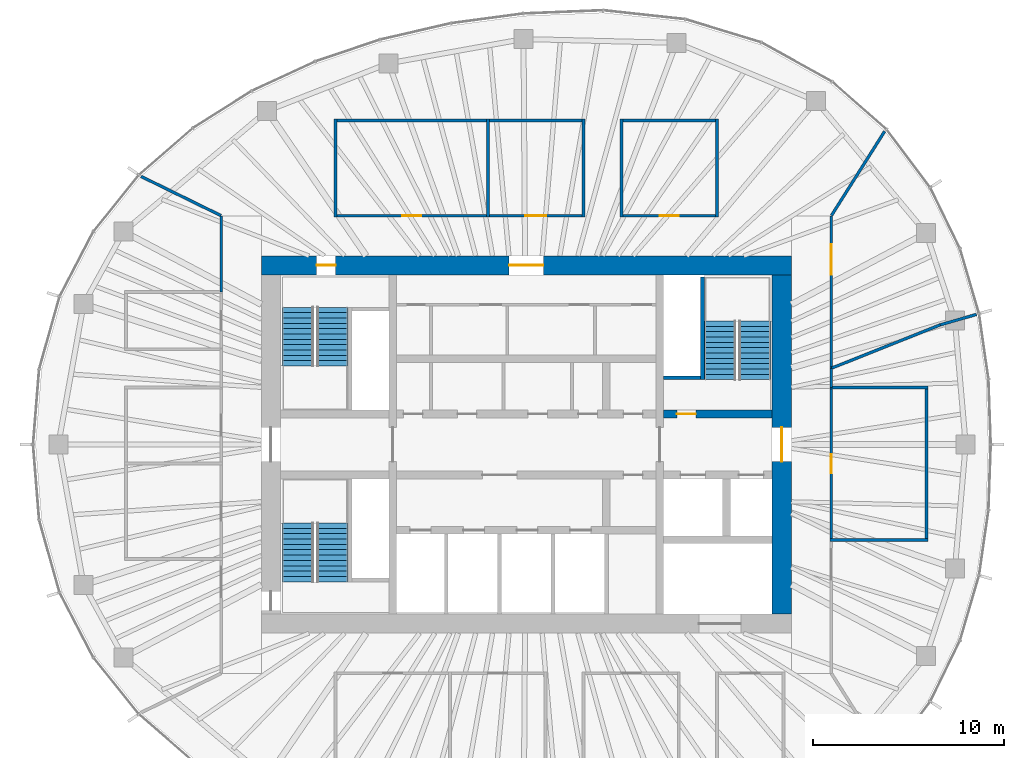
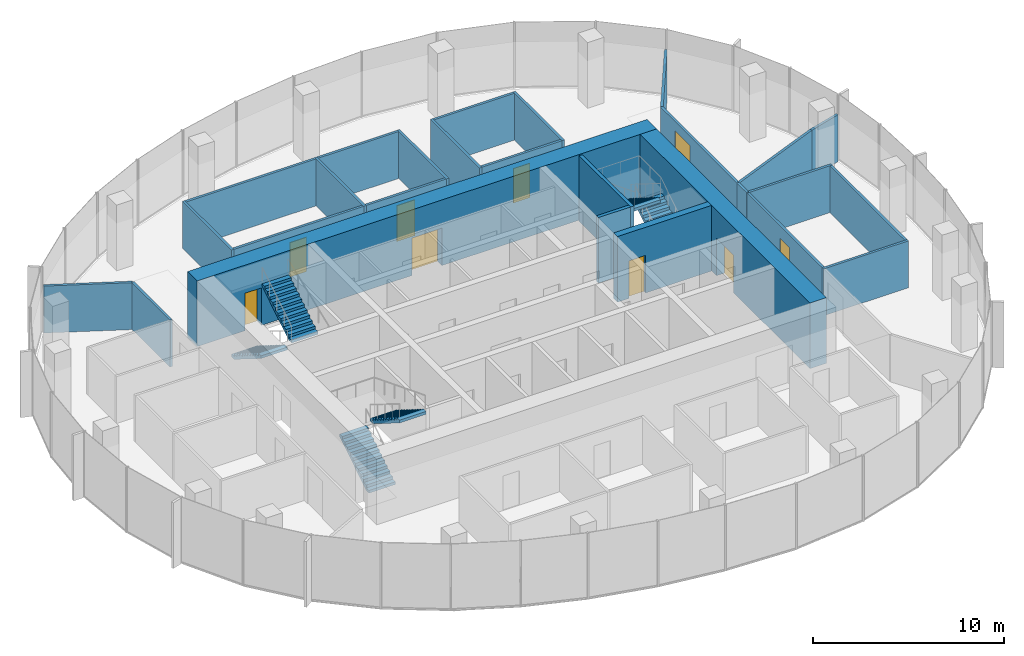
# One storey, part 10 of 11: 27 walls, 9 doors, 6 stair flights, 9 openings, 3 elements without a shape of their own.
"""IFC4 building model written with IfcOpenShell, lengths in metres."""

from ifc_helpers import new_model, si_unit, direction, frame, frame_2d, origin, place, context, subcontext, project, spatial, polyline, rectangle, outline, extrude, material, layer, layer_set, type_object, element, fill, aggregate, save


model = new_model("IFC4")

# Units and contexts
model_context = context("Model", 3, precision=1e-05, world=origin(), true_north=direction((0.0, 1.0)))
body_context = subcontext(model_context, "Body", "Model", "MODEL_VIEW")
ifc_project = project(units=[si_unit("LENGTHUNIT", "METRE"), si_unit("AREAUNIT", "SQUARE_METRE"), si_unit("VOLUMEUNIT", "CUBIC_METRE"), si_unit("PLANEANGLEUNIT", "RADIAN"), si_unit("MASSUNIT", "GRAM", prefix="KILO")], contexts=[model_context])

# Site, building, storey
site_placement = place(None, origin())
site = spatial("IfcSite", under=ifc_project, at=site_placement, CompositionType="ELEMENT")
building_placement = place(site_placement, origin())
building = spatial("IfcBuilding", under=site, at=building_placement, Name="Ghaith Harvest Tower", CompositionType="ELEMENT")
storey_placement = place(building_placement, frame((0.0, 0.0, 325.800048828125)))
storey = spatial("IfcBuildingStorey", under=building, at=storey_placement, Name="L73", CompositionType="ELEMENT", Elevation=325.800048828125)

# Wall, openings, doors
ifc_material_1 = material(Name="Concrete C50/60", Category="concrete")
ifc_layer_1 = layer(ifc_material_1, 1.0)
ifc_layer_set_1 = layer_set([ifc_layer_1], Name="CORE WALL CW1000")
wall_type_1 = type_object("IfcWallType", Name="CORE WALL CW1000", PredefinedType="SHEAR", material=ifc_layer_set_1)
wall_1_placement = place(storey_placement, frame((13.89990234375, 9.39990234375, 0.0), z_axis=(0.0, 0.0, 1.0), x_axis=(-1.0, 0.0, 0.0)))
wall_1 = element("IfcWall", 1, at=wall_1_placement, inside=storey, type_object=wall_type_1, Name="Core wall N L73", PredefinedType="SHEAR", context=body_context, shape_type="SweptSolid", body=[
    extrude(rectangle(XDim=27.7998046875, YDim=1.0, at=frame_2d((13.89990234375, 0.0))), origin(), (0.0, 0.0, 1.0), 4.199951171875),
])
opening_1_placement = place(wall_1_placement, frame((23.89990234375, 0.0, 0.0)))
opening_1 = element("IfcOpeningElement", 2, at=opening_1_placement, cuts=wall_1, Name="Opening 73-005", PredefinedType="OPENING", context=body_context, shape_type="SweptSolid", body=[
    extrude(rectangle(XDim=1.0, YDim=2.39990234375, at=frame_2d((0.5, 1.199951171875))), frame((0.0, 0.510009765625, 0.0), z_axis=(0.0, -1.0, 0.0), x_axis=(1.0, 0.0, 0.0)), (0.0, 0.0, 1.0), 1.02001953125),
])
opening_2_placement = place(wall_1_placement, frame((13.0, 0.0, 0.0)))
opening_2 = element("IfcOpeningElement", 3, at=opening_2_placement, cuts=wall_1, Name="Opening 73-019", PredefinedType="OPENING", context=body_context, shape_type="SweptSolid", body=[
    extrude(rectangle(XDim=1.800048828125, YDim=2.39990234375, at=frame_2d((0.89990234375, 1.199951171875))), frame((0.0, 0.510009765625, 0.0), z_axis=(0.0, -1.0, 0.0), x_axis=(1.0, 0.0, 0.0)), (0.0, 0.0, 1.0), 1.02001953125),
])
ifc_material_2 = material(Name="Steel fire door", Category="steel")
door_type_1 = type_object("IfcDoorType", Name="D3 FD90 1000x2400", OperationType="SINGLE_SWING_LEFT", PredefinedType="DOOR", material=ifc_material_2)
door_1_placement = place(opening_1_placement, origin())
door_1 = element("IfcDoor", 4, at=door_1_placement, inside=storey, type_object=door_type_1, Name="Stair ST1 door", OperationType="SINGLE_SWING_RIGHT", OverallHeight=2.39990234375, OverallWidth=1.0, PredefinedType="DOOR", context=body_context, shape_type="SweptSolid", body=[
    extrude(rectangle(XDim=1.0, YDim=2.39990234375, at=frame_2d((0.5, 1.199951171875))), frame((0.0, 0.02490234375, 0.0), z_axis=(0.0, -1.0, 0.0), x_axis=(1.0, 0.0, 0.0)), (0.0, 0.0, 1.0), 0.050048828125),
])
fill(opening_1, door_1)
ifc_material_3 = material(Name="Steel fire door", Category="steel")
door_type_2 = type_object("IfcDoorType", Name="D4 FD90 PAIR 1800x2400", OperationType="DOUBLE_DOOR_SINGLE_SWING", PredefinedType="DOOR", material=ifc_material_3)
door_2_placement = place(opening_2_placement, origin())
door_2 = element("IfcDoor", 5, at=door_2_placement, inside=storey, type_object=door_type_2, Name="Core service corridor doors", OperationType="DOUBLE_DOOR_SINGLE_SWING", OverallHeight=2.39990234375, OverallWidth=1.800048828125, PredefinedType="DOOR", context=body_context, shape_type="SweptSolid", body=[
    extrude(rectangle(XDim=1.800048828125, YDim=2.39990234375, at=frame_2d((0.89990234375, 1.199951171875))), frame((0.0, 0.02490234375, 0.0), z_axis=(0.0, -1.0, 0.0), x_axis=(1.0, 0.0, 0.0)), (0.0, 0.0, 1.0), 0.050048828125),
])
fill(opening_2, door_2)

# Wall, opening, door
wall_2_placement = place(storey_placement, frame((13.39990234375, -8.89990234375, 0.0), z_axis=(0.0, 0.0, 1.0), x_axis=(0.0, 1.0, 0.0)))
wall_2 = element("IfcWall", 6, at=wall_2_placement, inside=storey, type_object=wall_type_1, Name="Core wall E L73", PredefinedType="SHEAR", context=body_context, shape_type="SweptSolid", body=[
    extrude(rectangle(XDim=17.7998046875, YDim=1.0, at=frame_2d((8.89990234375, 0.0))), origin(), (0.0, 0.0, 1.0), 4.199951171875),
])
opening_3_placement = place(wall_2_placement, frame((8.0, 0.0, 0.0)))
opening_3 = element("IfcOpeningElement", 7, at=opening_3_placement, cuts=wall_2, Name="Opening 73-002", PredefinedType="OPENING", context=body_context, shape_type="SweptSolid", body=[
    extrude(rectangle(XDim=1.800048828125, YDim=2.39990234375, at=frame_2d((0.89990234375, 1.199951171875))), frame((0.0, 0.510009765625, 0.0), z_axis=(0.0, -1.0, 0.0), x_axis=(1.0, 0.0, 0.0)), (0.0, 0.0, 1.0), 1.02001953125),
])
door_3_placement = place(opening_3_placement, origin())
door_3 = element("IfcDoor", 8, at=door_3_placement, inside=storey, type_object=door_type_2, Name="Fire-fighting lobby doors", OperationType="DOUBLE_DOOR_SINGLE_SWING", OverallHeight=2.39990234375, OverallWidth=1.800048828125, PredefinedType="DOOR", context=body_context, shape_type="SweptSolid", body=[
    extrude(rectangle(XDim=1.800048828125, YDim=2.39990234375, at=frame_2d((0.89990234375, 1.199951171875))), frame((0.0, 0.02490234375, 0.0), z_axis=(0.0, -1.0, 0.0), x_axis=(1.0, 0.0, 0.0)), (0.0, 0.0, 1.0), 0.050048828125),
])
fill(opening_3, door_3)

# Walls
ifc_material_4 = material(Name="Gypsum board on steel studs", Category="steel")
ifc_layer_2 = layer(ifc_material_4, 0.14990234375)
ifc_layer_set_2 = layer_set([ifc_layer_2], Name="PARTITION 150")
wall_type_2 = type_object("IfcWallType", Name="PARTITION 150", PredefinedType="PARTITIONING", material=ifc_layer_set_2)
for number, where, z_axis, x_axis, name in (
    (9, (-10.0, 11.925048828125, 0.0), (0.0, 0.0, 1.0), (0.0, 1.0, 0.0), "Partition L73 row N1 cross wall 1"),
    (10, (-2.0, 11.925048828125, 0.0), (0.0, 0.0, 1.0), (0.0, 1.0, 0.0), "Partition L73 row N1 cross wall 2"),
    (11, (3.0, 11.925048828125, 0.0), (0.0, 0.0, 1.0), (0.0, 1.0, 0.0), "Partition L73 row N1 cross wall 3"),
):
    element("IfcWall", number, at=place(storey_placement, frame(where, z_axis=z_axis, x_axis=x_axis)), inside=storey, type_object=wall_type_2, Name=name, PredefinedType="PARTITIONING", context=body_context, shape_type="SweptSolid", body=[
        extrude(rectangle(XDim=5.14990234375, YDim=0.14990234375, at=frame_2d((2.574951171875, 0.0))), origin(), (0.0, 0.0, 1.0), 3.0),
    ])

# Wall, opening, door
wall_3_placement = place(storey_placement, frame((-9.925048828125, 12.0, 0.0), z_axis=(0.0, 0.0, 1.0), x_axis=(1.0, 0.0, 0.0)))
wall_3 = element("IfcWall", 12, at=wall_3_placement, inside=storey, type_object=wall_type_2, Name="Partition L73-01", PredefinedType="PARTITIONING", context=body_context, shape_type="SweptSolid", body=[
    extrude(rectangle(XDim=7.85009765625, YDim=0.14990234375, at=frame_2d((3.925048828125, 0.0))), origin(), (0.0, 0.0, 1.0), 3.0),
])
opening_4_placement = place(wall_3_placement, frame((3.425048828125, 0.0, 0.0)))
opening_4 = element("IfcOpeningElement", 13, at=opening_4_placement, cuts=wall_3, Name="Opening 73-027", PredefinedType="OPENING", context=body_context, shape_type="SweptSolid", body=[
    extrude(rectangle(XDim=1.0, YDim=2.199951171875, at=frame_2d((0.5, 1.10009765625))), frame((0.0, 0.0849609375, 0.0), z_axis=(0.0, -1.0, 0.0), x_axis=(1.0, 0.0, 0.0)), (0.0, 0.0, 1.0), 0.169921875),
])
ifc_material_5 = material(Name="Timber door", Category="wood")
door_type_3 = type_object("IfcDoorType", Name="D1 SINGLE 1000x2200", OperationType="SINGLE_SWING_LEFT", PredefinedType="DOOR", material=ifc_material_5)
door_4_placement = place(opening_4_placement, origin())
door_4 = element("IfcDoor", 14, at=door_4_placement, inside=storey, type_object=door_type_3, Name="Test kitchen door", OperationType="SINGLE_SWING_LEFT", OverallHeight=2.199951171875, OverallWidth=1.0, PredefinedType="DOOR", context=body_context, shape_type="SweptSolid", body=[
    extrude(rectangle(XDim=1.0, YDim=2.199951171875, at=frame_2d((0.5, 1.10009765625))), frame((0.0, 0.02490234375, 0.0), z_axis=(0.0, -1.0, 0.0), x_axis=(1.0, 0.0, 0.0)), (0.0, 0.0, 1.0), 0.050048828125),
])
fill(opening_4, door_4)

# Wall
wall_4_placement = place(storey_placement, frame((-9.925048828125, 17.0, 0.0), z_axis=(0.0, 0.0, 1.0), x_axis=(1.0, 0.0, 0.0)))
element("IfcWall", 15, at=wall_4_placement, inside=storey, type_object=wall_type_2, Name="Partition L73-01", PredefinedType="PARTITIONING", context=body_context, shape_type="SweptSolid", body=[
    extrude(rectangle(XDim=7.85009765625, YDim=0.14990234375, at=frame_2d((3.925048828125, 0.0))), origin(), (0.0, 0.0, 1.0), 3.0),
])

# Wall, opening, door
wall_5_placement = place(storey_placement, frame((-1.925048828125, 12.0, 0.0), z_axis=(0.0, 0.0, 1.0), x_axis=(1.0, 0.0, 0.0)))
wall_5 = element("IfcWall", 16, at=wall_5_placement, inside=storey, type_object=wall_type_2, Name="Partition L73-02", PredefinedType="PARTITIONING", context=body_context, shape_type="SweptSolid", body=[
    extrude(rectangle(XDim=4.85009765625, YDim=0.14990234375, at=frame_2d((2.425048828125, 0.0))), origin(), (0.0, 0.0, 1.0), 3.0),
])
opening_5_placement = place(wall_5_placement, frame((1.875, 0.0, 0.0)))
opening_5 = element("IfcOpeningElement", 17, at=opening_5_placement, cuts=wall_5, Name="Opening 73-028", PredefinedType="OPENING", context=body_context, shape_type="SweptSolid", body=[
    extrude(rectangle(XDim=1.10009765625, YDim=2.300048828125, at=frame_2d((0.550048828125, 1.14990234375))), frame((0.0, 0.0849609375, 0.0), z_axis=(0.0, -1.0, 0.0), x_axis=(1.0, 0.0, 0.0)), (0.0, 0.0, 1.0), 0.169921875),
])
ifc_material_6 = material(Name="Timber-framed glazed door", Category="wood")
door_type_4 = type_object("IfcDoorType", Name="D12 GLAZED OFFICE 1100x2300", OperationType="SINGLE_SWING_LEFT", PredefinedType="DOOR", material=ifc_material_6)
door_5_placement = place(opening_5_placement, origin())
door_5 = element("IfcDoor", 18, at=door_5_placement, inside=storey, type_object=door_type_4, Name="Chef's office door", OperationType="SINGLE_SWING_LEFT", OverallHeight=2.300048828125, OverallWidth=1.10009765625, PredefinedType="DOOR", context=body_context, shape_type="SweptSolid", body=[
    extrude(rectangle(XDim=1.10009765625, YDim=2.300048828125, at=frame_2d((0.550048828125, 1.14990234375))), frame((0.0, 0.02490234375, 0.0), z_axis=(0.0, -1.0, 0.0), x_axis=(1.0, 0.0, 0.0)), (0.0, 0.0, 1.0), 0.050048828125),
])
fill(opening_5, door_5)

# Walls
wall_6_placement = place(storey_placement, frame((-1.925048828125, 17.0, 0.0), z_axis=(0.0, 0.0, 1.0), x_axis=(1.0, 0.0, 0.0)))
element("IfcWall", 19, at=wall_6_placement, inside=storey, type_object=wall_type_2, Name="Partition L73-02", PredefinedType="PARTITIONING", context=body_context, shape_type="SweptSolid", body=[
    extrude(rectangle(XDim=4.85009765625, YDim=0.14990234375, at=frame_2d((2.425048828125, 0.0))), origin(), (0.0, 0.0, 1.0), 3.0),
])
for number, where, z_axis, x_axis, name in (
    (20, (5.0, 11.925048828125, 0.0), (0.0, 0.0, 1.0), (0.0, 1.0, 0.0), "Partition L73 row N2 cross wall 1"),
    (21, (10.0, 11.925048828125, 0.0), (0.0, 0.0, 1.0), (0.0, 1.0, 0.0), "Partition L73 row N2 cross wall 2"),
):
    element("IfcWall", number, at=place(storey_placement, frame(where, z_axis=z_axis, x_axis=x_axis)), inside=storey, type_object=wall_type_2, Name=name, PredefinedType="PARTITIONING", context=body_context, shape_type="SweptSolid", body=[
        extrude(rectangle(XDim=5.14990234375, YDim=0.14990234375, at=frame_2d((2.574951171875, 0.0))), origin(), (0.0, 0.0, 1.0), 3.0),
    ])

# Wall, opening, door
wall_7_placement = place(storey_placement, frame((5.074951171875, 12.0, 0.0), z_axis=(0.0, 0.0, 1.0), x_axis=(1.0, 0.0, 0.0)))
wall_7 = element("IfcWall", 22, at=wall_7_placement, inside=storey, type_object=wall_type_2, Name="Partition L73-03", PredefinedType="PARTITIONING", context=body_context, shape_type="SweptSolid", body=[
    extrude(rectangle(XDim=4.85009765625, YDim=0.14990234375, at=frame_2d((2.425048828125, 0.0))), origin(), (0.0, 0.0, 1.0), 3.0),
])
opening_6_placement = place(wall_7_placement, frame((1.925048828125, 0.0, 0.0)))
opening_6 = element("IfcOpeningElement", 23, at=opening_6_placement, cuts=wall_7, Name="Opening 73-029", PredefinedType="OPENING", context=body_context, shape_type="SweptSolid", body=[
    extrude(rectangle(XDim=1.0, YDim=2.199951171875, at=frame_2d((0.5, 1.10009765625))), frame((0.0, 0.0849609375, 0.0), z_axis=(0.0, -1.0, 0.0), x_axis=(1.0, 0.0, 0.0)), (0.0, 0.0, 1.0), 0.169921875),
])
door_6_placement = place(opening_6_placement, origin())
door_6 = element("IfcDoor", 24, at=door_6_placement, inside=storey, type_object=door_type_3, Name="Preparation kitchen door", OperationType="SINGLE_SWING_LEFT", OverallHeight=2.199951171875, OverallWidth=1.0, PredefinedType="DOOR", context=body_context, shape_type="SweptSolid", body=[
    extrude(rectangle(XDim=1.0, YDim=2.199951171875, at=frame_2d((0.5, 1.10009765625))), frame((0.0, 0.02490234375, 0.0), z_axis=(0.0, -1.0, 0.0), x_axis=(1.0, 0.0, 0.0)), (0.0, 0.0, 1.0), 0.050048828125),
])
fill(opening_6, door_6)

# Walls
wall_8_placement = place(storey_placement, frame((5.074951171875, 17.0, 0.0), z_axis=(0.0, 0.0, 1.0), x_axis=(1.0, 0.0, 0.0)))
element("IfcWall", 25, at=wall_8_placement, inside=storey, type_object=wall_type_2, Name="Partition L73-03", PredefinedType="PARTITIONING", context=body_context, shape_type="SweptSolid", body=[
    extrude(rectangle(XDim=4.85009765625, YDim=0.14990234375, at=frame_2d((2.425048828125, 0.0))), origin(), (0.0, 0.0, 1.0), 3.0),
])
for number, where, z_axis, x_axis, name in (
    (26, (15.925048828125, -5.0, 0.0), (0.0, 0.0, 1.0), (1.0, 0.0, 0.0), "Partition L73 row E6 cross wall 1"),
    (27, (15.925048828125, 3.0, 0.0), (0.0, 0.0, 1.0), (1.0, 0.0, 0.0), "Partition L73 row E6 cross wall 2"),
):
    element("IfcWall", number, at=place(storey_placement, frame(where, z_axis=z_axis, x_axis=x_axis)), inside=storey, type_object=wall_type_2, Name=name, PredefinedType="PARTITIONING", context=body_context, shape_type="SweptSolid", body=[
        extrude(rectangle(XDim=5.14990234375, YDim=0.14990234375, at=frame_2d((2.574951171875, 0.0))), origin(), (0.0, 0.0, 1.0), 3.0),
    ])

# Wall, opening, door
wall_9_placement = place(storey_placement, frame((16.0, -4.925048828125, 0.0), z_axis=(0.0, 0.0, 1.0), x_axis=(0.0, 1.0, 0.0)))
wall_9 = element("IfcWall", 28, at=wall_9_placement, inside=storey, type_object=wall_type_2, Name="Partition L73-09", PredefinedType="PARTITIONING", context=body_context, shape_type="SweptSolid", body=[
    extrude(rectangle(XDim=7.85009765625, YDim=0.14990234375, at=frame_2d((3.925048828125, 0.0))), origin(), (0.0, 0.0, 1.0), 3.0),
])
opening_7_placement = place(wall_9_placement, frame((3.425048828125, 0.0, 0.0)))
opening_7 = element("IfcOpeningElement", 29, at=opening_7_placement, cuts=wall_9, Name="Opening 73-035", PredefinedType="OPENING", context=body_context, shape_type="SweptSolid", body=[
    extrude(rectangle(XDim=1.0, YDim=2.199951171875, at=frame_2d((0.5, 1.10009765625))), frame((0.0, 0.0849609375, 0.0), z_axis=(0.0, -1.0, 0.0), x_axis=(1.0, 0.0, 0.0)), (0.0, 0.0, 1.0), 0.169921875),
])
door_7_placement = place(opening_7_placement, origin())
door_7 = element("IfcDoor", 30, at=door_7_placement, inside=storey, type_object=door_type_3, Name="Microgreen nursery door", OperationType="SINGLE_SWING_LEFT", OverallHeight=2.199951171875, OverallWidth=1.0, PredefinedType="DOOR", context=body_context, shape_type="SweptSolid", body=[
    extrude(rectangle(XDim=1.0, YDim=2.199951171875, at=frame_2d((0.5, 1.10009765625))), frame((0.0, 0.02490234375, 0.0), z_axis=(0.0, -1.0, 0.0), x_axis=(1.0, 0.0, 0.0)), (0.0, 0.0, 1.0), 0.050048828125),
])
fill(opening_7, door_7)

# Walls
wall_10_placement = place(storey_placement, frame((21.0, -4.925048828125, 0.0), z_axis=(0.0, 0.0, 1.0), x_axis=(0.0, 1.0, 0.0)))
element("IfcWall", 31, at=wall_10_placement, inside=storey, type_object=wall_type_2, Name="Partition L73-09", PredefinedType="PARTITIONING", context=body_context, shape_type="SweptSolid", body=[
    extrude(rectangle(XDim=7.85009765625, YDim=0.14990234375, at=frame_2d((3.925048828125, 0.0))), origin(), (0.0, 0.0, 1.0), 3.0),
])
wall_11_placement = place(storey_placement, frame((-16.017822265625, 12.0087890625, 0.0), z_axis=(0.0, 0.0, 1.0), x_axis=(-0.897771840996, 0.440460805879, 0.0)))
element("IfcWall", 32, at=wall_11_placement, inside=storey, type_object=wall_type_2, Name="Partition L73 zone division", PredefinedType="PARTITIONING", context=body_context, shape_type="SweptSolid", body=[
    extrude(rectangle(XDim=4.66552734375, YDim=0.14990234375, at=frame_2d((2.332763671875, 0.0))), origin(), (0.0, 0.0, 1.0), 3.0),
])
wall_12_placement = place(storey_placement, frame((16.0107421875, 12.016845703125, 0.0), z_axis=(0.0, 0.0, 1.0), x_axis=(0.53415837449, 0.845384427916, 0.0)))
element("IfcWall", 33, at=wall_12_placement, inside=storey, type_object=wall_type_2, Name="Partition L73 zone division", PredefinedType="PARTITIONING", context=body_context, shape_type="SweptSolid", body=[
    extrude(rectangle(XDim=5.220458984375, YDim=0.14990234375, at=frame_2d((2.6103515625, 0.0))), origin(), (0.0, 0.0, 1.0), 3.0),
])
wall_13_placement = place(storey_placement, frame((16.02001953125, 4.008056640625, 0.0), z_axis=(0.0, 0.0, 1.0), x_axis=(0.929035834071, 0.36998975528, 0.0)))
element("IfcWall", 34, at=wall_13_placement, inside=storey, type_object=wall_type_2, Name="Partition L73 zone division", PredefinedType="PARTITIONING", context=body_context, shape_type="SweptSolid", body=[
    extrude(rectangle(XDim=6.13134765625, YDim=0.14990234375, at=frame_2d((3.065673828125, 0.0))), origin(), (0.0, 0.0, 1.0), 3.0),
])
wall_14_placement = place(storey_placement, frame((21.71630859375, 6.276611328125, 0.0), z_axis=(0.0, 0.0, 1.0), x_axis=(0.960705414675, 0.277570002366, 0.0)))
element("IfcWall", 35, at=wall_14_placement, inside=storey, type_object=wall_type_2, Name="Partition L73 zone division", PredefinedType="PARTITIONING", context=body_context, shape_type="SweptSolid", body=[
    extrude(rectangle(XDim=1.97998046875, YDim=0.14990234375, at=frame_2d((0.989990234375, 0.0))), origin(), (0.0, 0.0, 1.0), 3.0),
])

# Wall, opening, door
wall_15_placement = place(storey_placement, frame((16.0, 4.0, 0.0), z_axis=(0.0, 0.0, 1.0), x_axis=(0.0, 1.0, 0.0)))
wall_15 = element("IfcWall", 36, at=wall_15_placement, inside=storey, type_object=wall_type_2, Name="Partition L73 zone enclosure", PredefinedType="PARTITIONING", context=body_context, shape_type="SweptSolid", body=[
    extrude(rectangle(XDim=8.0, YDim=0.14990234375, at=frame_2d((4.0, 0.0))), origin(), (0.0, 0.0, 1.0), 3.0),
])
opening_8_placement = place(wall_15_placement, frame((4.89990234375, 0.0, 0.0)))
opening_8 = element("IfcOpeningElement", 37, at=opening_8_placement, cuts=wall_15, Name="Opening 73-038", PredefinedType="OPENING", context=body_context, shape_type="SweptSolid", body=[
    extrude(rectangle(XDim=1.60009765625, YDim=2.39990234375, at=frame_2d((0.800048828125, 1.199951171875))), frame((0.0, 0.0849609375, 0.0), z_axis=(0.0, -1.0, 0.0), x_axis=(1.0, 0.0, 0.0)), (0.0, 0.0, 1.0), 0.169921875),
])
ifc_material_7 = material(Name="Timber door", Category="wood")
door_type_5 = type_object("IfcDoorType", Name="D2 PAIR 1600x2400", OperationType="DOUBLE_DOOR_SINGLE_SWING", PredefinedType="DOOR", material=ifc_material_7)
door_8_placement = place(opening_8_placement, origin())
door_8 = element("IfcDoor", 38, at=door_8_placement, inside=storey, type_object=door_type_5, Name="Chef's growing area east 1 door", OperationType="DOUBLE_DOOR_SINGLE_SWING", OverallHeight=2.39990234375, OverallWidth=1.60009765625, PredefinedType="DOOR", context=body_context, shape_type="SweptSolid", body=[
    extrude(rectangle(XDim=1.60009765625, YDim=2.39990234375, at=frame_2d((0.800048828125, 1.199951171875))), frame((0.0, 0.02490234375, 0.0), z_axis=(0.0, -1.0, 0.0), x_axis=(1.0, 0.0, 0.0)), (0.0, 0.0, 1.0), 0.050048828125),
])
fill(opening_8, door_8)

# Walls
wall_16_placement = place(storey_placement, frame((16.0, 3.0, 0.0), z_axis=(0.0, 0.0, 1.0), x_axis=(0.0, 1.0, 0.0)))
element("IfcWall", 39, at=wall_16_placement, inside=storey, type_object=wall_type_2, Name="Partition L73 zone enclosure", PredefinedType="PARTITIONING", context=body_context, shape_type="SweptSolid", body=[
    extrude(rectangle(XDim=1.0, YDim=0.14990234375, at=frame_2d((0.5, 0.0))), origin(), (0.0, 0.0, 1.0), 3.0),
])
wall_17_placement = place(storey_placement, frame((-16.0, 12.0, 0.0), z_axis=(0.0, 0.0, 1.0), x_axis=(0.0, -1.0, 0.0)))
element("IfcWall", 40, at=wall_17_placement, inside=storey, type_object=wall_type_2, Name="Partition L73 zone enclosure", PredefinedType="PARTITIONING", context=body_context, shape_type="SweptSolid", body=[
    extrude(rectangle(XDim=4.0, YDim=0.14990234375, at=frame_2d((2.0, 0.0))), origin(), (0.0, 0.0, 1.0), 3.0),
])

# Wall, opening, door
ifc_material_8 = material(Name="Concrete C70/85", Category="concrete")
ifc_layer_3 = layer(ifc_material_8, 0.39990234375)
ifc_layer_set_3 = layer_set([ifc_layer_3], Name="SHAFT WALL 400")
wall_type_3 = type_object("IfcWallType", Name="SHAFT WALL 400", PredefinedType="SHEAR", material=ifc_layer_set_3)
wall_18_placement = place(storey_placement, frame((7.199951171875, 1.60009765625, 0.0), z_axis=(0.0, 0.0, 1.0), x_axis=(1.0, 0.0, 0.0)))
wall_18 = element("IfcWall", 41, at=wall_18_placement, inside=storey, type_object=wall_type_3, Name="Shaft wall EN L73", PredefinedType="SHEAR", context=body_context, shape_type="SweptSolid", body=[
    extrude(rectangle(XDim=5.699951171875, YDim=0.39990234375, at=frame_2d((2.85009765625, 0.0))), origin(), (0.0, 0.0, 1.0), 4.199951171875),
])
opening_9_placement = place(wall_18_placement, frame((0.699951171875, 0.0, 0.0)))
opening_9 = element("IfcOpeningElement", 42, at=opening_9_placement, cuts=wall_18, Name="Opening 73-007", PredefinedType="OPENING", context=body_context, shape_type="SweptSolid", body=[
    extrude(rectangle(XDim=1.0, YDim=2.39990234375, at=frame_2d((0.5, 1.199951171875))), frame((0.0, 0.2099609375, 0.0), z_axis=(0.0, -1.0, 0.0), x_axis=(1.0, 0.0, 0.0)), (0.0, 0.0, 1.0), 0.419921875),
])
door_9_placement = place(opening_9_placement, origin())
door_9 = element("IfcDoor", 43, at=door_9_placement, inside=storey, type_object=door_type_1, Name="Stair ST2 door", OperationType="SINGLE_SWING_LEFT", OverallHeight=2.39990234375, OverallWidth=1.0, PredefinedType="DOOR", context=body_context, shape_type="SweptSolid", body=[
    extrude(rectangle(XDim=1.0, YDim=2.39990234375, at=frame_2d((0.5, 1.199951171875))), frame((0.0, 0.02490234375, 0.0), z_axis=(0.0, -1.0, 0.0), x_axis=(1.0, 0.0, 0.0)), (0.0, 0.0, 1.0), 0.050048828125),
])
fill(opening_9, door_9)

# Walls
ifc_material_9 = material(Name="Concrete C40/50", Category="concrete")
ifc_layer_4 = layer(ifc_material_9, 0.199951171875)
ifc_layer_set_4 = layer_set([ifc_layer_4], Name="STAIR SPINE WALL RC200")
wall_type_4 = type_object("IfcWallType", Name="STAIR SPINE WALL RC200", PredefinedType="SOLIDWALL", material=ifc_layer_set_4)
wall_19_placement = place(storey_placement, frame((9.25, 3.39990234375, 0.0), z_axis=(0.0, 0.0, 1.0), x_axis=(0.0, 1.0, 0.0)))
element("IfcWall", 44, at=wall_19_placement, inside=storey, type_object=wall_type_4, Name="Stair ST2 spine wall L73", PredefinedType="SOLIDWALL", context=body_context, shape_type="SweptSolid", body=[
    extrude(rectangle(XDim=5.400146484375, YDim=0.199951171875, at=frame_2d((2.7001953125, 0.0))), origin(), (0.0, 0.0, 1.0), 4.199951171875),
])
wall_20_placement = place(storey_placement, frame((9.14990234375, 3.5, 0.0), z_axis=(0.0, 0.0, 1.0), x_axis=(-1.0, 0.0, 0.0)))
element("IfcWall", 45, at=wall_20_placement, inside=storey, type_object=wall_type_4, Name="Stair ST2 spine wall return L73", PredefinedType="SOLIDWALL", context=body_context, shape_type="SweptSolid", body=[
    extrude(rectangle(XDim=1.949951171875, YDim=0.199951171875, at=frame_2d((0.97509765625, 0.0))), origin(), (0.0, 0.0, 1.0), 4.199951171875),
])

# Stair, stair flights
ifc_material_10 = material(Name="Concrete C40/50, precast", Category="concrete")
stair_type = type_object("IfcStairType", Name="CORE STAIR 24R", PredefinedType="HALF_TURN_STAIR", material=ifc_material_10)
stair_1_placement = place(storey_placement, origin())
stair_1 = element("IfcStair", 46, at=stair_1_placement, inside=storey, type_object=stair_type, Name="Stair ST1 L73", PredefinedType="HALF_TURN_STAIR")
ifc_material_11 = material(Name="Concrete C40/50, precast", Category="concrete")
stair_flight_type = type_object("IfcStairFlightType", Name="CORE FLIGHT 12R 1600", PredefinedType="STRAIGHT", material=ifc_material_11)
stair_flight_1_placement = place(storey_placement, frame((-12.0, 7.199951171875, 0.0), z_axis=(0.0, 0.0, 1.0), x_axis=(0.0, -1.0, 0.0)))
stair_flight_1 = element("IfcStairFlight", 47, at=stair_flight_1_placement, type_object=stair_flight_type, Name="ST1 flight 1", NumberOfRisers=12, NumberOfTreads=11, PredefinedType="STRAIGHT", RiserHeight=0.175, TreadLength=0.28, context=body_context, shape_type="SweptSolid", body=[
    extrude(outline(polyline([(0.0, 0.0), (0.0, 0.175048828125), (0.280029296875, 0.175048828125), (0.280029296875, 0.35009765625), (0.56005859375, 0.35009765625), (0.56005859375, 0.52490234375), (0.840087890625, 0.52490234375), (0.840087890625, 0.699951171875), (1.1201171875, 0.699951171875), (1.1201171875, 0.875), (1.39990234375, 0.875), (1.39990234375, 1.050048828125), (1.679931640625, 1.050048828125), (1.679931640625, 1.22509765625), (1.9599609375, 1.22509765625), (1.9599609375, 1.39990234375), (2.239990234375, 1.39990234375), (2.239990234375, 1.574951171875), (2.52001953125, 1.574951171875), (2.52001953125, 1.75), (2.800048828125, 1.75), (2.800048828125, 1.925048828125), (3.080078125, 1.925048828125), (3.080078125, 2.10009765625), (3.080078125, 1.748291015625), (0.28271484375, 0.0), (0.0, 0.0)])), frame((0.0, 0.800048828125, 0.0), z_axis=(0.0, -1.0, 0.0), x_axis=(1.0, 0.0, 0.0)), (0.0, 0.0, 1.0), 1.60009765625),
])
stair_flight_2_placement = place(storey_placement, frame((-10.14990234375, 4.1201171875, 2.099853515625), z_axis=(0.0, 0.0, 1.0), x_axis=(0.0, 1.0, 0.0)))
stair_flight_2 = element("IfcStairFlight", 48, at=stair_flight_2_placement, type_object=stair_flight_type, Name="ST1 flight 2", NumberOfRisers=12, NumberOfTreads=11, PredefinedType="STRAIGHT", RiserHeight=0.175, TreadLength=0.28, context=body_context, shape_type="SweptSolid", body=[
    extrude(outline(polyline([(0.0, 0.0), (0.0, 0.175048828125), (0.280029296875, 0.175048828125), (0.280029296875, 0.35009765625), (0.56005859375, 0.35009765625), (0.56005859375, 0.52490234375), (0.840087890625, 0.52490234375), (0.840087890625, 0.699951171875), (1.1201171875, 0.699951171875), (1.1201171875, 0.875), (1.39990234375, 0.875), (1.39990234375, 1.050048828125), (1.679931640625, 1.050048828125), (1.679931640625, 1.22509765625), (1.9599609375, 1.22509765625), (1.9599609375, 1.39990234375), (2.239990234375, 1.39990234375), (2.239990234375, 1.574951171875), (2.52001953125, 1.574951171875), (2.52001953125, 1.75), (2.800048828125, 1.75), (2.800048828125, 1.925048828125), (3.080078125, 1.925048828125), (3.080078125, 2.10009765625), (3.080078125, 1.748291015625), (0.28271484375, 0.0), (0.0, 0.0)])), frame((0.0, 0.800048828125, 0.0), z_axis=(0.0, -1.0, 0.0), x_axis=(1.0, 0.0, 0.0)), (0.0, 0.0, 1.0), 1.60009765625),
])
aggregate(stair_1, [stair_flight_1, stair_flight_2])

stair_2_placement = place(storey_placement, origin())
stair_2 = element("IfcStair", 49, at=stair_2_placement, inside=storey, type_object=stair_type, Name="Stair ST3 L73", PredefinedType="HALF_TURN_STAIR")
stair_flight_3_placement = place(storey_placement, frame((-12.0, -7.199951171875, 0.0), z_axis=(0.0, 0.0, 1.0), x_axis=(0.0, 1.0, 0.0)))
stair_flight_3 = element("IfcStairFlight", 50, at=stair_flight_3_placement, type_object=stair_flight_type, Name="ST3 flight 1", NumberOfRisers=12, NumberOfTreads=11, PredefinedType="STRAIGHT", RiserHeight=0.175, TreadLength=0.28, context=body_context, shape_type="SweptSolid", body=[
    extrude(outline(polyline([(0.0, 0.0), (0.0, 0.175048828125), (0.280029296875, 0.175048828125), (0.280029296875, 0.35009765625), (0.56005859375, 0.35009765625), (0.56005859375, 0.52490234375), (0.840087890625, 0.52490234375), (0.840087890625, 0.699951171875), (1.1201171875, 0.699951171875), (1.1201171875, 0.875), (1.39990234375, 0.875), (1.39990234375, 1.050048828125), (1.679931640625, 1.050048828125), (1.679931640625, 1.22509765625), (1.9599609375, 1.22509765625), (1.9599609375, 1.39990234375), (2.239990234375, 1.39990234375), (2.239990234375, 1.574951171875), (2.52001953125, 1.574951171875), (2.52001953125, 1.75), (2.800048828125, 1.75), (2.800048828125, 1.925048828125), (3.080078125, 1.925048828125), (3.080078125, 2.10009765625), (3.080078125, 1.748291015625), (0.28271484375, 0.0), (0.0, 0.0)])), frame((0.0, 0.800048828125, 0.0), z_axis=(0.0, -1.0, 0.0), x_axis=(1.0, 0.0, 0.0)), (0.0, 0.0, 1.0), 1.60009765625),
])
stair_flight_4_placement = place(storey_placement, frame((-10.14990234375, -4.1201171875, 2.099853515625), z_axis=(0.0, 0.0, 1.0), x_axis=(0.0, -1.0, 0.0)))
stair_flight_4 = element("IfcStairFlight", 51, at=stair_flight_4_placement, type_object=stair_flight_type, Name="ST3 flight 2", NumberOfRisers=12, NumberOfTreads=11, PredefinedType="STRAIGHT", RiserHeight=0.175, TreadLength=0.28, context=body_context, shape_type="SweptSolid", body=[
    extrude(outline(polyline([(0.0, 0.0), (0.0, 0.175048828125), (0.280029296875, 0.175048828125), (0.280029296875, 0.35009765625), (0.56005859375, 0.35009765625), (0.56005859375, 0.52490234375), (0.840087890625, 0.52490234375), (0.840087890625, 0.699951171875), (1.1201171875, 0.699951171875), (1.1201171875, 0.875), (1.39990234375, 0.875), (1.39990234375, 1.050048828125), (1.679931640625, 1.050048828125), (1.679931640625, 1.22509765625), (1.9599609375, 1.22509765625), (1.9599609375, 1.39990234375), (2.239990234375, 1.39990234375), (2.239990234375, 1.574951171875), (2.52001953125, 1.574951171875), (2.52001953125, 1.75), (2.800048828125, 1.75), (2.800048828125, 1.925048828125), (3.080078125, 1.925048828125), (3.080078125, 2.10009765625), (3.080078125, 1.748291015625), (0.28271484375, 0.0), (0.0, 0.0)])), frame((0.0, 0.800048828125, 0.0), z_axis=(0.0, -1.0, 0.0), x_axis=(1.0, 0.0, 0.0)), (0.0, 0.0, 1.0), 1.60009765625),
])
aggregate(stair_2, [stair_flight_3, stair_flight_4])

stair_3_placement = place(storey_placement, origin())
stair_3 = element("IfcStair", 52, at=stair_3_placement, inside=storey, type_object=stair_type, Name="Stair ST2 L73", PredefinedType="HALF_TURN_STAIR")
stair_flight_5_placement = place(storey_placement, frame((12.0, 3.39990234375, 0.0), z_axis=(0.0, 0.0, 1.0), x_axis=(0.0, 1.0, 0.0)))
stair_flight_5 = element("IfcStairFlight", 53, at=stair_flight_5_placement, type_object=stair_flight_type, Name="ST2 flight 1", NumberOfRisers=12, NumberOfTreads=11, PredefinedType="STRAIGHT", RiserHeight=0.175, TreadLength=0.28, context=body_context, shape_type="SweptSolid", body=[
    extrude(outline(polyline([(0.0, 0.0), (0.0, 0.175048828125), (0.280029296875, 0.175048828125), (0.280029296875, 0.35009765625), (0.56005859375, 0.35009765625), (0.56005859375, 0.52490234375), (0.840087890625, 0.52490234375), (0.840087890625, 0.699951171875), (1.1201171875, 0.699951171875), (1.1201171875, 0.875), (1.39990234375, 0.875), (1.39990234375, 1.050048828125), (1.679931640625, 1.050048828125), (1.679931640625, 1.22509765625), (1.9599609375, 1.22509765625), (1.9599609375, 1.39990234375), (2.239990234375, 1.39990234375), (2.239990234375, 1.574951171875), (2.52001953125, 1.574951171875), (2.52001953125, 1.75), (2.800048828125, 1.75), (2.800048828125, 1.925048828125), (3.080078125, 1.925048828125), (3.080078125, 2.10009765625), (3.080078125, 1.748291015625), (0.28271484375, 0.0), (0.0, 0.0)])), frame((0.0, 0.800048828125, 0.0), z_axis=(0.0, -1.0, 0.0), x_axis=(1.0, 0.0, 0.0)), (0.0, 0.0, 1.0), 1.60009765625),
])
stair_flight_6_placement = place(storey_placement, frame((10.14990234375, 6.47998046875, 2.099853515625), z_axis=(0.0, 0.0, 1.0), x_axis=(0.0, -1.0, 0.0)))
stair_flight_6 = element("IfcStairFlight", 54, at=stair_flight_6_placement, type_object=stair_flight_type, Name="ST2 flight 2", NumberOfRisers=12, NumberOfTreads=11, PredefinedType="STRAIGHT", RiserHeight=0.175, TreadLength=0.28, context=body_context, shape_type="SweptSolid", body=[
    extrude(outline(polyline([(0.0, 0.0), (0.0, 0.175048828125), (0.280029296875, 0.175048828125), (0.280029296875, 0.35009765625), (0.56005859375, 0.35009765625), (0.56005859375, 0.52490234375), (0.840087890625, 0.52490234375), (0.840087890625, 0.699951171875), (1.1201171875, 0.699951171875), (1.1201171875, 0.875), (1.39990234375, 0.875), (1.39990234375, 1.050048828125), (1.679931640625, 1.050048828125), (1.679931640625, 1.22509765625), (1.9599609375, 1.22509765625), (1.9599609375, 1.39990234375), (2.239990234375, 1.39990234375), (2.239990234375, 1.574951171875), (2.52001953125, 1.574951171875), (2.52001953125, 1.75), (2.800048828125, 1.75), (2.800048828125, 1.925048828125), (3.080078125, 1.925048828125), (3.080078125, 2.10009765625), (3.080078125, 1.748291015625), (0.28271484375, 0.0), (0.0, 0.0)])), frame((0.0, 0.800048828125, 0.0), z_axis=(0.0, -1.0, 0.0), x_axis=(1.0, 0.0, 0.0)), (0.0, 0.0, 1.0), 1.60009765625),
])
aggregate(stair_3, [stair_flight_5, stair_flight_6])

save(model, "model.ifc")
